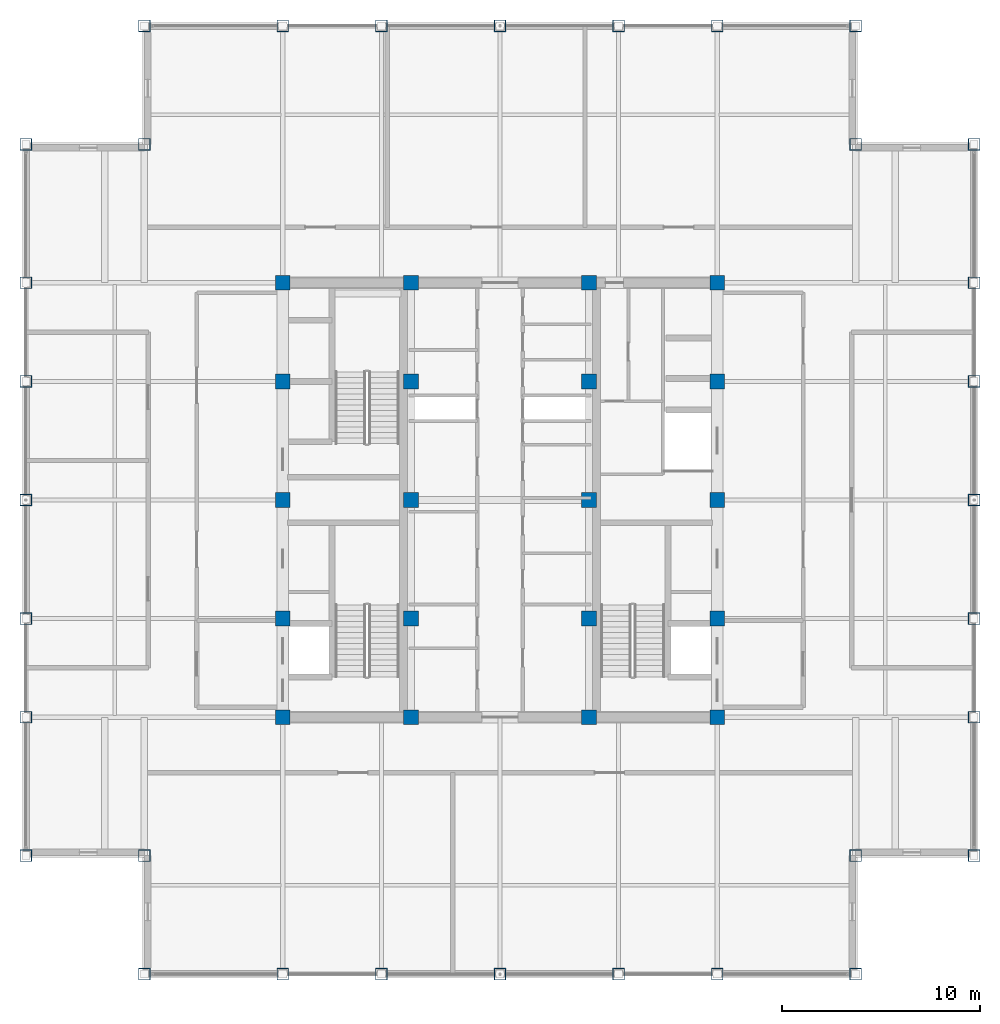
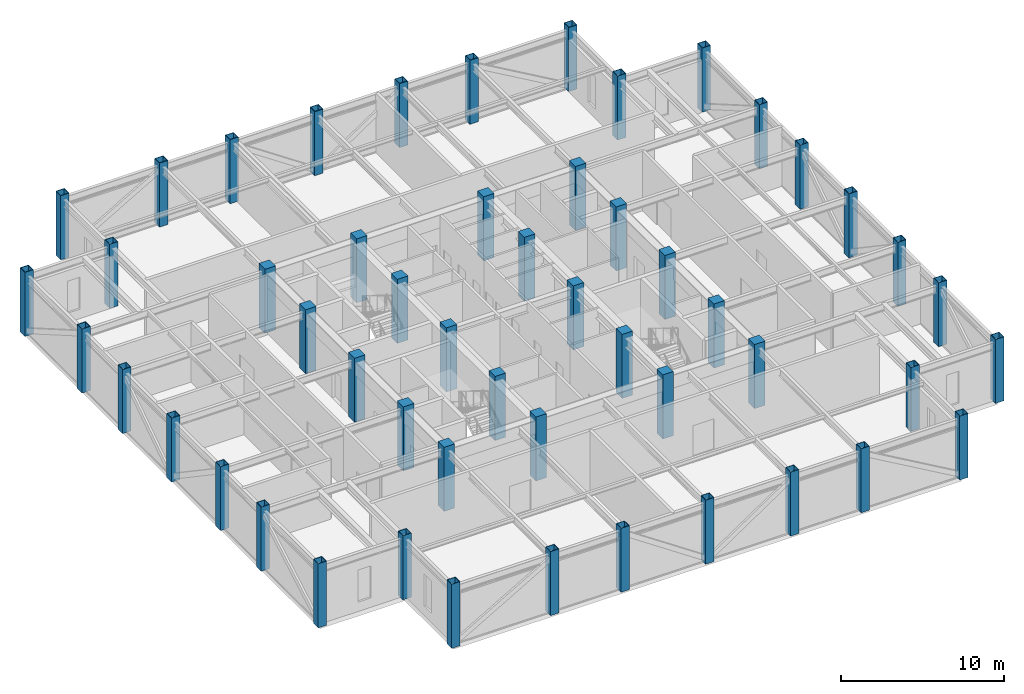
# One storey, part 1 of 27: 52 columns.
"""IFC4 building model written with IfcOpenShell, lengths in metres."""

from ifc_helpers import new_model, si_unit, direction, frame, origin, origin_2d, place, context, subcontext, project, spatial, rectangle, hollow_rectangle, extrude, source, transform, mapped, material, material_profile, profile_set, type_object, element, save


model = new_model("IFC4")

# Units and contexts
model_context = context("Model", 3, precision=1e-05, world=origin(), true_north=direction((0.0, 1.0)))
body_context = subcontext(model_context, "Body", "Model", "MODEL_VIEW")
ifc_project = project(units=[si_unit("LENGTHUNIT", "METRE"), si_unit("AREAUNIT", "SQUARE_METRE"), si_unit("VOLUMEUNIT", "CUBIC_METRE"), si_unit("PLANEANGLEUNIT", "RADIAN"), si_unit("MASSUNIT", "GRAM", prefix="KILO")], contexts=[model_context])

# Site, building, storey
site_placement = place(None, origin())
site = spatial("IfcSite", under=ifc_project, at=site_placement, CompositionType="ELEMENT")
building_placement = place(site_placement, origin())
building = spatial("IfcBuilding", under=site, at=building_placement, Name="Khorayat Bourse Tower", CompositionType="ELEMENT")
storey_placement = place(building_placement, frame((0.0, 0.0, 385.10009765625)))
storey = spatial("IfcBuildingStorey", under=building, at=storey_placement, Name="L91", CompositionType="ELEMENT", Elevation=385.10009765625)

# Columns
ifc_material_1 = material(Name="Steel EN 10025-2 S355J2", Category="steel")
ifc_material_profile_1 = material_profile(ifc_material_1, hollow_rectangle(XDim=0.60009765625, YDim=0.60009765625, WallThickness=0.034912109375, at=origin_2d()), Name="BOX 600x600x35")
ifc_profile_set_1 = profile_set([ifc_material_profile_1], Name="Steel EN 10025-2 S355J2")
column_type_1 = type_object("IfcColumnType", Name="COL-CROWN-600", PredefinedType="COLUMN", material=ifc_profile_set_1)
shared_shape_1 = source(origin(), body_context, "Body", "SweptSolid", [
    extrude(hollow_rectangle(XDim=0.60009765625, YDim=0.60009765625, WallThickness=0.034912109375, at=origin_2d()), origin(), (0.0, 0.0, 1.0), 4.7998046875),
])
for number, where, z_axis, x_axis, name in (
    (1, (-24.0, -18.0, 0.0), (0.0, 0.0, 1.0), (1.0, 0.0, 0.0), "L91 Column 001"),
    (2, (-24.0, -11.0, 0.0), (0.0, 0.0, 1.0), (1.0, 0.0, 0.0), "L91 Column 002"),
    (3, (-24.0, -6.0, 0.0), (0.0, 0.0, 1.0), (1.0, 0.0, 0.0), "L91 Column 003"),
    (4, (-24.0, 0.0, 0.0), (0.0, 0.0, 1.0), (1.0, 0.0, 0.0), "L91 Column 004"),
    (5, (-24.0, 6.0, 0.0), (0.0, 0.0, 1.0), (1.0, 0.0, 0.0), "L91 Column 005"),
    (6, (-24.0, 11.0, 0.0), (0.0, 0.0, 1.0), (1.0, 0.0, 0.0), "L91 Column 006"),
    (7, (-24.0, 18.0, 0.0), (0.0, 0.0, 1.0), (1.0, 0.0, 0.0), "L91 Column 007"),
    (8, (-18.0, -24.0, 0.0), (0.0, 0.0, 1.0), (1.0, 0.0, 0.0), "L91 Column 008"),
    (9, (-18.0, -18.0, 0.0), (0.0, 0.0, 1.0), (1.0, 0.0, 0.0), "L91 Column 009"),
    (10, (-18.0, 18.0, 0.0), (0.0, 0.0, 1.0), (1.0, 0.0, 0.0), "L91 Column 010"),
    (11, (-18.0, 24.0, 0.0), (0.0, 0.0, 1.0), (1.0, 0.0, 0.0), "L91 Column 011"),
    (12, (-11.0, -24.0, 0.0), (0.0, 0.0, 1.0), (1.0, 0.0, 0.0), "L91 Column 012"),
    (13, (-11.0, 24.0, 0.0), (0.0, 0.0, 1.0), (1.0, 0.0, 0.0), "L91 Column 018"),
    (14, (-6.0, -24.0, 0.0), (0.0, 0.0, 1.0), (1.0, 0.0, 0.0), "L91 Column 019"),
    (15, (-6.0, 24.0, 0.0), (0.0, 0.0, 1.0), (1.0, 0.0, 0.0), "L91 Column 020"),
    (16, (0.0, -24.0, 0.0), (0.0, 0.0, 1.0), (1.0, 0.0, 0.0), "L91 Column 026"),
    (17, (0.0, 24.0, 0.0), (0.0, 0.0, 1.0), (1.0, 0.0, 0.0), "L91 Column 027"),
    (18, (6.0, -24.0, 0.0), (0.0, 0.0, 1.0), (1.0, 0.0, 0.0), "L91 Column 033"),
    (19, (6.0, 24.0, 0.0), (0.0, 0.0, 1.0), (1.0, 0.0, 0.0), "L91 Column 034"),
    (20, (11.0, -24.0, 0.0), (0.0, 0.0, 1.0), (1.0, 0.0, 0.0), "L91 Column 035"),
    (21, (11.0, 24.0, 0.0), (0.0, 0.0, 1.0), (1.0, 0.0, 0.0), "L91 Column 041"),
    (22, (18.0, -24.0, 0.0), (0.0, 0.0, 1.0), (1.0, 0.0, 0.0), "L91 Column 042"),
    (23, (18.0, -18.0, 0.0), (0.0, 0.0, 1.0), (1.0, 0.0, 0.0), "L91 Column 043"),
    (24, (18.0, 18.0, 0.0), (0.0, 0.0, 1.0), (1.0, 0.0, 0.0), "L91 Column 044"),
    (25, (18.0, 24.0, 0.0), (0.0, 0.0, 1.0), (1.0, 0.0, 0.0), "L91 Column 045"),
    (26, (24.0, -18.0, 0.0), (0.0, 0.0, 1.0), (1.0, 0.0, 0.0), "L91 Column 046"),
    (27, (24.0, -11.0, 0.0), (0.0, 0.0, 1.0), (1.0, 0.0, 0.0), "L91 Column 047"),
    (28, (24.0, -6.0, 0.0), (0.0, 0.0, 1.0), (1.0, 0.0, 0.0), "L91 Column 048"),
    (29, (24.0, 0.0, 0.0), (0.0, 0.0, 1.0), (1.0, 0.0, 0.0), "L91 Column 049"),
    (30, (24.0, 6.0, 0.0), (0.0, 0.0, 1.0), (1.0, 0.0, 0.0), "L91 Column 050"),
    (31, (24.0, 11.0, 0.0), (0.0, 0.0, 1.0), (1.0, 0.0, 0.0), "L91 Column 051"),
    (32, (24.0, 18.0, 0.0), (0.0, 0.0, 1.0), (1.0, 0.0, 0.0), "L91 Column 052"),
):
    element("IfcColumn", number, at=place(storey_placement, frame(where, z_axis=z_axis, x_axis=x_axis)), inside=storey, type_object=column_type_1, Name=name, PredefinedType="COLUMN", context=body_context, shape_type="MappedRepresentation", body=[
        mapped(shared_shape_1, transform((0.0, 0.0, 0.0), scale=1.0)),
    ])
ifc_material_2 = material(Name="Concrete C52/65", Category="concrete")
ifc_material_profile_2 = material_profile(ifc_material_2, rectangle(XDim=0.75, YDim=0.75, at=origin_2d()), Name="RC 750x750")
ifc_profile_set_2 = profile_set([ifc_material_profile_2], Name="Concrete C52/65")
column_type_2 = type_object("IfcColumnType", Name="COL-CORE-750", PredefinedType="COLUMN", material=ifc_profile_set_2)
shared_shape_2 = source(origin(), body_context, "Body", "SweptSolid", [
    extrude(rectangle(XDim=0.75, YDim=0.75, at=origin_2d()), origin(), (0.0, 0.0, 1.0), 4.7998046875),
])
for number, where, z_axis, x_axis, name in (
    (33, (-11.0, -11.0, 0.0), (0.0, 0.0, 1.0), (1.0, 0.0, 0.0), "L91 Column 013"),
    (34, (-11.0, -6.0, 0.0), (0.0, 0.0, 1.0), (1.0, 0.0, 0.0), "L91 Column 014"),
    (35, (-11.0, 0.0, 0.0), (0.0, 0.0, 1.0), (1.0, 0.0, 0.0), "L91 Column 015"),
    (36, (-11.0, 6.0, 0.0), (0.0, 0.0, 1.0), (1.0, 0.0, 0.0), "L91 Column 016"),
    (37, (-11.0, 11.0, 0.0), (0.0, 0.0, 1.0), (1.0, 0.0, 0.0), "L91 Column 017"),
    (38, (-4.5, -11.0, 0.0), (0.0, 0.0, 1.0), (1.0, 0.0, 0.0), "L91 Column 021"),
    (39, (-4.5, -6.0, 0.0), (0.0, 0.0, 1.0), (1.0, 0.0, 0.0), "L91 Column 022"),
    (40, (-4.5, 0.0, 0.0), (0.0, 0.0, 1.0), (1.0, 0.0, 0.0), "L91 Column 023"),
    (41, (-4.5, 6.0, 0.0), (0.0, 0.0, 1.0), (1.0, 0.0, 0.0), "L91 Column 024"),
    (42, (-4.5, 11.0, 0.0), (0.0, 0.0, 1.0), (1.0, 0.0, 0.0), "L91 Column 025"),
    (43, (4.5, -11.0, 0.0), (0.0, 0.0, 1.0), (1.0, 0.0, 0.0), "L91 Column 028"),
    (44, (4.5, -6.0, 0.0), (0.0, 0.0, 1.0), (1.0, 0.0, 0.0), "L91 Column 029"),
    (45, (4.5, 0.0, 0.0), (0.0, 0.0, 1.0), (1.0, 0.0, 0.0), "L91 Column 030"),
    (46, (4.5, 6.0, 0.0), (0.0, 0.0, 1.0), (1.0, 0.0, 0.0), "L91 Column 031"),
    (47, (4.5, 11.0, 0.0), (0.0, 0.0, 1.0), (1.0, 0.0, 0.0), "L91 Column 032"),
    (48, (11.0, -11.0, 0.0), (0.0, 0.0, 1.0), (1.0, 0.0, 0.0), "L91 Column 036"),
    (49, (11.0, -6.0, 0.0), (0.0, 0.0, 1.0), (1.0, 0.0, 0.0), "L91 Column 037"),
    (50, (11.0, 0.0, 0.0), (0.0, 0.0, 1.0), (1.0, 0.0, 0.0), "L91 Column 038"),
    (51, (11.0, 6.0, 0.0), (0.0, 0.0, 1.0), (1.0, 0.0, 0.0), "L91 Column 039"),
    (52, (11.0, 11.0, 0.0), (0.0, 0.0, 1.0), (1.0, 0.0, 0.0), "L91 Column 040"),
):
    element("IfcColumn", number, at=place(storey_placement, frame(where, z_axis=z_axis, x_axis=x_axis)), inside=storey, type_object=column_type_2, Name=name, PredefinedType="COLUMN", context=body_context, shape_type="MappedRepresentation", body=[
        mapped(shared_shape_2, transform((0.0, 0.0, 0.0), scale=1.0)),
    ])

save(model, "model.ifc")
